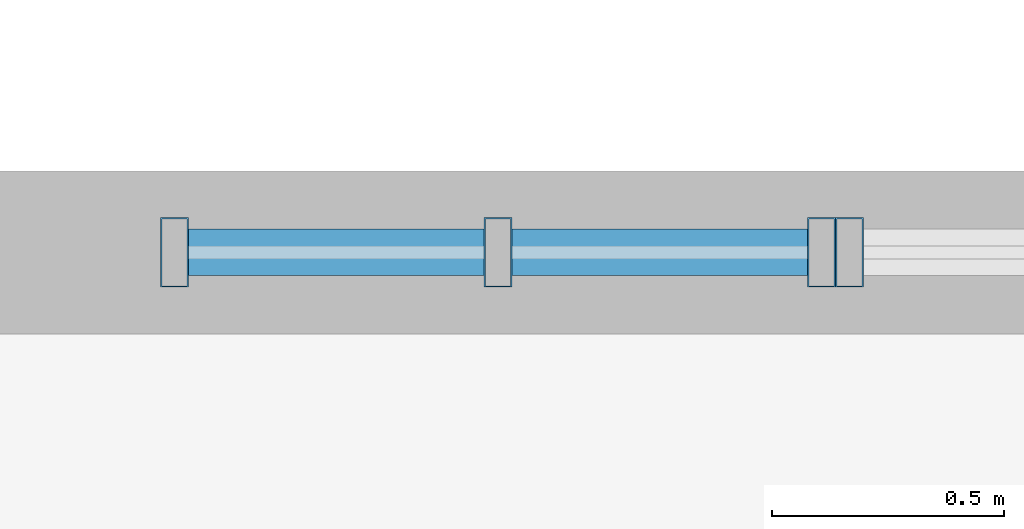
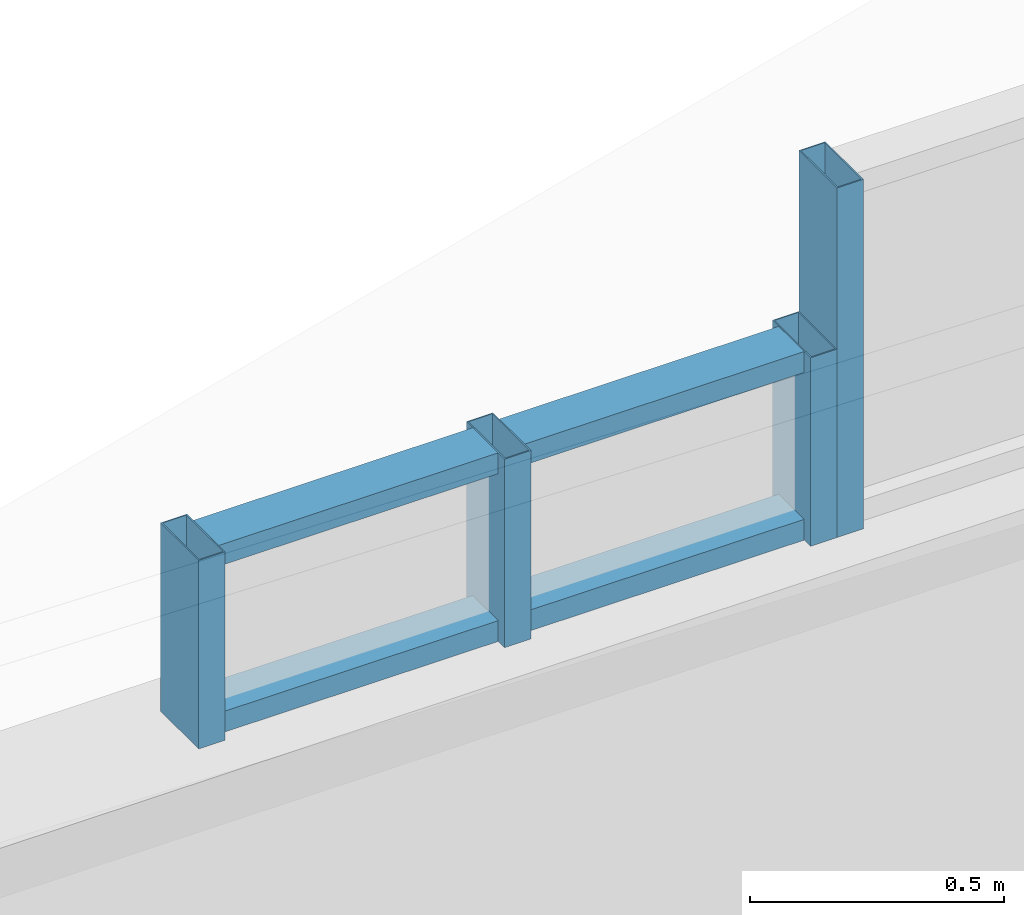
# One storey, part 47 of 92: 8 members, 2 elements without a shape of their own.
"""IFC4 building model written with IfcOpenShell, lengths in metres."""

from ifc_helpers import new_model, si_unit, direction, frame, origin, origin_2d, place, context, subcontext, project, spatial, hollow_rectangle, extrude, material, material_profile, profile_set, type_object, element, aggregate, save


model = new_model("IFC4")

# Units and contexts
model_context = context("Model", 3, precision=1e-05, world=origin(), true_north=direction((0.0, 1.0)))
body_context = subcontext(model_context, "Body", "Model", "MODEL_VIEW")
ifc_project = project(units=[si_unit("LENGTHUNIT", "METRE"), si_unit("AREAUNIT", "SQUARE_METRE"), si_unit("VOLUMEUNIT", "CUBIC_METRE"), si_unit("PLANEANGLEUNIT", "RADIAN"), si_unit("MASSUNIT", "GRAM", prefix="KILO")], contexts=[model_context])

# Site, building, storey
site_placement = place(None, origin())
site = spatial("IfcSite", under=ifc_project, at=site_placement, CompositionType="ELEMENT")
building_placement = place(site_placement, origin())
building = spatial("IfcBuilding", under=site, at=building_placement, Name="Laocheng Heights Fire and Rescue Headquarters", CompositionType="ELEMENT")
storey_placement = place(building_placement, frame((0.0, 0.0, 12.60009765625)))
storey = spatial("IfcBuildingStorey", under=building, at=storey_placement, Name="L03", CompositionType="ELEMENT", Elevation=12.60009765625)

# Curtain wall, members
ifc_material_1 = material(Name="Dark anodised aluminium unitised curtain wall, low-e double glazing", Category="aluminium")
curtain_wall_type_1 = type_object("IfcCurtainWallType", Name="CW 1452 x 453 THEATRE GABLE UNIT", PredefinedType="NOTDEFINED", material=ifc_material_1)
curtain_wall_1_placement = place(storey_placement, origin())
curtain_wall_1 = element("IfcCurtainWall", 1, at=curtain_wall_1_placement, inside=storey, type_object=curtain_wall_type_1, Name="X6-V THEATRE NORTH GABLE 2", PredefinedType="NOTDEFINED")
ifc_material_2 = material(Name="Dark anodised aluminium 6063-T5 extrusion", Category="aluminium")
ifc_material_profile_1 = material_profile(ifc_material_2, hollow_rectangle(XDim=0.14990234375, YDim=0.06005859375, WallThickness=0.0029296875, at=origin_2d()), Name="AL MULLION 150x60x3 THEATRE GABLE UNIT")
ifc_profile_set_1 = profile_set([ifc_material_profile_1], Name="Dark anodised aluminium 6063-T5 extrusion")
member_type_1 = type_object("IfcMemberType", Name="AL MULLION 150x60x3 THEATRE GABLE UNIT", PredefinedType="MULLION", material=ifc_profile_set_1)
member_1_placement = place(storey_placement, frame((13.83203125, 57.60009765625, 3.158447265625), z_axis=(0.0, 0.0, 1.0), x_axis=(0.0, 1.0, 0.0)))
member_1 = element("IfcMember", 2, at=member_1_placement, type_object=member_type_1, Name="X6-V mullion 1", PredefinedType="MULLION", context=body_context, shape_type="SweptSolid", body=[
    extrude(hollow_rectangle(XDim=0.14990234375, YDim=0.06005859375, WallThickness=0.0029296875, at=origin_2d()), origin(), (0.0, 0.0, 1.0), 0.453369140625),
])
member_2_placement = place(storey_placement, frame((14.528076171875, 57.60009765625, 3.158447265625), z_axis=(0.0, 0.0, 1.0), x_axis=(0.0, 1.0, 0.0)))
member_2 = element("IfcMember", 3, at=member_2_placement, type_object=member_type_1, Name="X6-V mullion 2", PredefinedType="MULLION", context=body_context, shape_type="SweptSolid", body=[
    extrude(hollow_rectangle(XDim=0.14990234375, YDim=0.06005859375, WallThickness=0.0029296875, at=origin_2d()), origin(), (0.0, 0.0, 1.0), 0.453369140625),
])
member_3_placement = place(storey_placement, frame((15.22412109375, 57.60009765625, 3.158447265625), z_axis=(0.0, 0.0, 1.0), x_axis=(0.0, 1.0, 0.0)))
member_3 = element("IfcMember", 4, at=member_3_placement, type_object=member_type_1, Name="X6-V mullion 3", PredefinedType="MULLION", context=body_context, shape_type="SweptSolid", body=[
    extrude(hollow_rectangle(XDim=0.14990234375, YDim=0.06005859375, WallThickness=0.0029296875, at=origin_2d()), origin(), (0.0, 0.0, 1.0), 0.453369140625),
])

# Curtain wall, member
ifc_material_3 = material(Name="Dark anodised aluminium unitised curtain wall, low-e double glazing", Category="aluminium")
curtain_wall_type_2 = type_object("IfcCurtainWallType", Name="CW 1452 x 841 THEATRE GABLE UNIT", PredefinedType="NOTDEFINED", material=ifc_material_3)
curtain_wall_2_placement = place(storey_placement, origin())
curtain_wall_2 = element("IfcCurtainWall", 5, at=curtain_wall_2_placement, inside=storey, type_object=curtain_wall_type_2, Name="X7-V THEATRE NORTH GABLE 3", PredefinedType="NOTDEFINED")
member_4_placement = place(storey_placement, frame((15.2841796875, 57.60009765625, 3.158447265625), z_axis=(0.0, 0.0, 1.0), x_axis=(0.0, 1.0, 0.0)))
member_4 = element("IfcMember", 6, at=member_4_placement, type_object=member_type_1, Name="X7-V mullion 1", PredefinedType="MULLION", context=body_context, shape_type="SweptSolid", body=[
    extrude(hollow_rectangle(XDim=0.14990234375, YDim=0.06005859375, WallThickness=0.0029296875, at=origin_2d()), origin(), (0.0, 0.0, 1.0), 0.840576171875),
])
aggregate(curtain_wall_2, [member_4])

# Member
ifc_material_4 = material(Name="Dark anodised aluminium 6063-T5 extrusion", Category="aluminium")
ifc_material_profile_2 = material_profile(ifc_material_4, hollow_rectangle(XDim=0.10009765625, YDim=0.050048828125, WallThickness=0.0029296875, at=origin_2d()), Name="AL TRANSOM 100x50x3 THEATRE GABLE UNIT")
ifc_profile_set_2 = profile_set([ifc_material_profile_2], Name="Dark anodised aluminium 6063-T5 extrusion")
member_type_2 = type_object("IfcMemberType", Name="AL TRANSOM 100x50x3 THEATRE GABLE UNIT", PredefinedType="USERDEFINED", material=ifc_profile_set_2)
member_5_placement = place(storey_placement, frame((13.862060546875, 57.60009765625, 3.183349609375), z_axis=(1.0, 0.0, 0.0), x_axis=(0.0, 1.0, 0.0)))
member_5 = element("IfcMember", 7, at=member_5_placement, type_object=member_type_2, Name="X6-V transom 1.1", ObjectType="TRANSOM", PredefinedType="USERDEFINED", context=body_context, shape_type="SweptSolid", body=[
    extrude(hollow_rectangle(XDim=0.10009765625, YDim=0.050048828125, WallThickness=0.0029296875, at=origin_2d()), origin(), (0.0, 0.0, 1.0), 0.635986328125),
])

member_6_placement = place(storey_placement, frame((13.862060546875, 57.60009765625, 3.586669921875), z_axis=(1.0, 0.0, 0.0), x_axis=(0.0, 1.0, 0.0)))
member_6 = element("IfcMember", 8, at=member_6_placement, type_object=member_type_2, Name="X6-V transom 1.2", ObjectType="TRANSOM", PredefinedType="USERDEFINED", context=body_context, shape_type="SweptSolid", body=[
    extrude(hollow_rectangle(XDim=0.10009765625, YDim=0.050048828125, WallThickness=0.0029296875, at=origin_2d()), origin(), (0.0, 0.0, 1.0), 0.635986328125),
])

member_7_placement = place(storey_placement, frame((14.55810546875, 57.60009765625, 3.183349609375), z_axis=(1.0, 0.0, 0.0), x_axis=(0.0, 1.0, 0.0)))
member_7 = element("IfcMember", 9, at=member_7_placement, type_object=member_type_2, Name="X6-V transom 2.1", ObjectType="TRANSOM", PredefinedType="USERDEFINED", context=body_context, shape_type="SweptSolid", body=[
    extrude(hollow_rectangle(XDim=0.10009765625, YDim=0.050048828125, WallThickness=0.0029296875, at=origin_2d()), origin(), (0.0, 0.0, 1.0), 0.635986328125),
])

member_8_placement = place(storey_placement, frame((14.55810546875, 57.60009765625, 3.586669921875), z_axis=(1.0, 0.0, 0.0), x_axis=(0.0, 1.0, 0.0)))
member_8 = element("IfcMember", 10, at=member_8_placement, type_object=member_type_2, Name="X6-V transom 2.2", ObjectType="TRANSOM", PredefinedType="USERDEFINED", context=body_context, shape_type="SweptSolid", body=[
    extrude(hollow_rectangle(XDim=0.10009765625, YDim=0.050048828125, WallThickness=0.0029296875, at=origin_2d()), origin(), (0.0, 0.0, 1.0), 0.635986328125),
])

aggregate(curtain_wall_1, [member_1, member_2, member_3, member_5, member_6, member_7, member_8])

save(model, "model.ifc")
